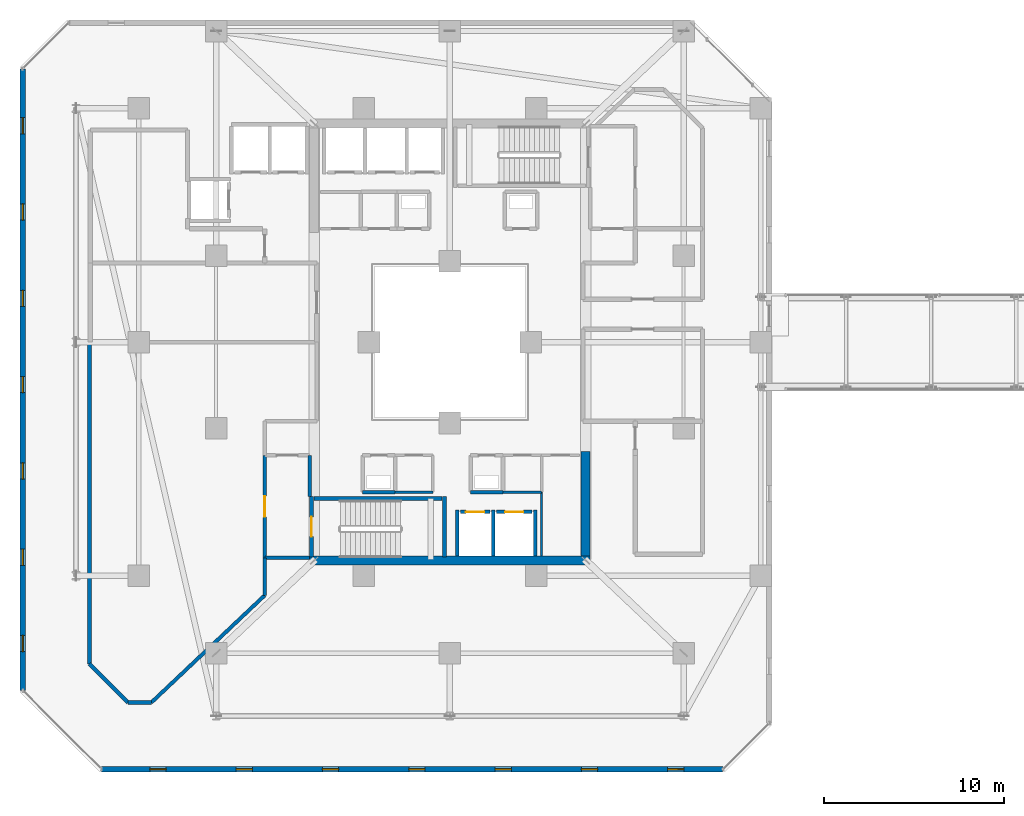
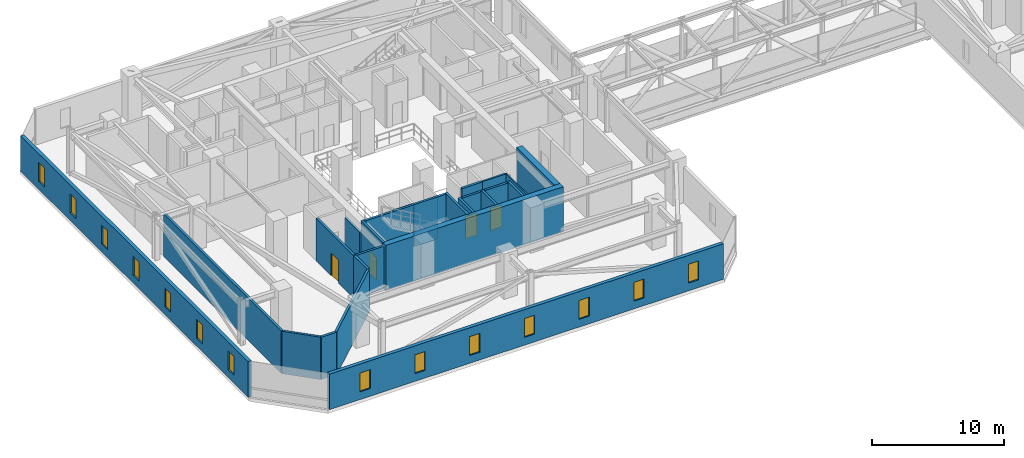
# One storey, part 35 of 45: 25 walls, 14 windows, 4 doors, 18 openings.
"""IFC4 building model written with IfcOpenShell, lengths in metres."""

from ifc_helpers import new_model, si_unit, direction, frame, frame_2d, origin, place, context, subcontext, project, spatial, rectangle, extrude, material, layer, layer_set, type_object, element, fill, save


model = new_model("IFC4")

# Units and contexts
model_context = context("Model", 3, precision=1e-05, world=origin(), true_north=direction((0.0, 1.0)))
body_context = subcontext(model_context, "Body", "Model", "MODEL_VIEW")
ifc_project = project(units=[si_unit("LENGTHUNIT", "METRE"), si_unit("AREAUNIT", "SQUARE_METRE"), si_unit("VOLUMEUNIT", "CUBIC_METRE"), si_unit("PLANEANGLEUNIT", "RADIAN"), si_unit("MASSUNIT", "GRAM", prefix="KILO")], contexts=[model_context])

# Site, building, storey
site_placement = place(None, origin())
site = spatial("IfcSite", under=ifc_project, at=site_placement, CompositionType="ELEMENT")
building_placement = place(site_placement, origin())
building = spatial("IfcBuilding", under=site, at=building_placement, Name="Thornwick Lancets Civic Towers", CompositionType="ELEMENT")
storey_placement = place(building_placement, frame((0.0, 0.0, 141.300048828125)))
storey = spatial("IfcBuildingStorey", under=building, at=storey_placement, Name="L37", CompositionType="ELEMENT", Elevation=141.300048828125)

# Wall, opening, door
ifc_material_1 = material(Name="Concrete blockwork C40/50", Category="masonry")
ifc_layer_1 = layer(ifc_material_1, 0.199951171875, Name="Concrete blockwork C40/50")
ifc_layer_set_1 = layer_set([ifc_layer_1], Name="Concrete blockwork C40/50")
wall_type_1 = type_object("IfcWallType", Name="WALL_COMP_200", PredefinedType="STANDARD", material=ifc_layer_set_1)
wall_1_placement = place(storey_placement, frame((26.080078125, 17.550048828125, 0.0), z_axis=(0.0, 0.0, 1.0), x_axis=(1.0, 0.0, 0.0)))
wall_1 = element("IfcWall", 1, at=wall_1_placement, inside=storey, type_object=wall_type_1, Name="L37 Hoistway Front Wall FL-A1", PredefinedType="STANDARD", context=body_context, shape_type="SweptSolid", body=[
    extrude(rectangle(XDim=1.639892578125, YDim=0.199951171875, at=frame_2d((0.81982421875, 0.0))), origin(), (0.0, 0.0, 1.0), 3.93994140625),
])
opening_1_placement = place(wall_1_placement, frame((0.31005859375, 0.0, 0.0)))
opening_1 = element("IfcOpeningElement", 2, at=opening_1_placement, cuts=wall_1, Name="Opening LD-FL-A1", PredefinedType="OPENING", context=body_context, shape_type="SweptSolid", body=[
    extrude(rectangle(XDim=1.02001953125, YDim=2.06005859375, at=frame_2d((0.510009765625, 1.030029296875))), frame((0.0, 0.10986328125, 0.0), z_axis=(0.0, -1.0, 0.0), x_axis=(1.0, 0.0, 0.0)), (0.0, 0.0, 1.0), 0.219970703125),
])
ifc_material_2 = material(Name="Brushed bronze stainless steel", Category="steel")
door_type_1 = type_object("IfcDoorType", Name="DOOR_LIFT_SLIDE", OperationType="SLIDING_TO_LEFT", PredefinedType="DOOR", material=ifc_material_2)
door_1_placement = place(opening_1_placement, origin())
door_1 = element("IfcDoor", 3, at=door_1_placement, inside=storey, type_object=door_type_1, Name="L37 Sliding Lift Landing Door LD-FL-A1", OperationType="SLIDING_TO_LEFT", OverallHeight=2.06005859375, OverallWidth=1.02001953125, PredefinedType="DOOR", context=body_context, shape_type="SweptSolid", body=[
    extrude(rectangle(XDim=1.02001953125, YDim=2.06005859375, at=frame_2d((0.510009765625, 1.030029296875))), frame((0.0, 0.02490234375, 0.0), z_axis=(0.0, -1.0, 0.0), x_axis=(1.0, 0.0, 0.0)), (0.0, 0.0, 1.0), 0.050048828125),
])
fill(opening_1, door_1)

wall_2_placement = place(storey_placement, frame((28.080078125, 17.550048828125, 0.0), z_axis=(0.0, 0.0, 1.0), x_axis=(1.0, 0.0, 0.0)))
wall_2 = element("IfcWall", 4, at=wall_2_placement, inside=storey, type_object=wall_type_1, Name="L37 Hoistway Front Wall PL-AH1", PredefinedType="STANDARD", context=body_context, shape_type="SweptSolid", body=[
    extrude(rectangle(XDim=1.989990234375, YDim=0.199951171875, at=frame_2d((0.9951171875, 0.0))), origin(), (0.0, 0.0, 1.0), 3.93994140625),
])
opening_2_placement = place(wall_2_placement, frame((0.485107421875, 0.0, 0.0)))
opening_2 = element("IfcOpeningElement", 5, at=opening_2_placement, cuts=wall_2, Name="Opening LD-PL-AH1", PredefinedType="OPENING", context=body_context, shape_type="SweptSolid", body=[
    extrude(rectangle(XDim=1.02001953125, YDim=2.06005859375, at=frame_2d((0.510009765625, 1.030029296875))), frame((0.0, 0.10986328125, 0.0), z_axis=(0.0, -1.0, 0.0), x_axis=(1.0, 0.0, 0.0)), (0.0, 0.0, 1.0), 0.219970703125),
])
door_2_placement = place(opening_2_placement, origin())
door_2 = element("IfcDoor", 6, at=door_2_placement, inside=storey, type_object=door_type_1, Name="L37 Sliding Lift Landing Door LD-PL-AH1", OperationType="SLIDING_TO_LEFT", OverallHeight=2.06005859375, OverallWidth=1.02001953125, PredefinedType="DOOR", context=body_context, shape_type="SweptSolid", body=[
    extrude(rectangle(XDim=1.02001953125, YDim=2.06005859375, at=frame_2d((0.510009765625, 1.030029296875))), frame((0.0, 0.02490234375, 0.0), z_axis=(0.0, -1.0, 0.0), x_axis=(1.0, 0.0, 0.0)), (0.0, 0.0, 1.0), 0.050048828125),
])
fill(opening_2, door_2)

# Walls
for number, where, z_axis, x_axis, name in (
    (7, (27.89990234375, 15.112060546875, 0.0), (0.0, 0.0, 1.0), (0.0, 1.0, 0.0), "L37 Hoistway Shaft Wall FL-A1 E"),
    (8, (25.89990234375, 15.112060546875, 0.0), (0.0, 0.0, 1.0), (0.0, 1.0, 0.0), "L37 Hoistway Shaft Wall FL-A1 W"),
    (9, (30.25, 15.112060546875, 0.0), (0.0, 0.0, 1.0), (0.0, 1.0, 0.0), "L37 Hoistway Shaft Wall PL-AH1 E"),
):
    element("IfcWall", number, at=place(storey_placement, frame(where, z_axis=z_axis, x_axis=x_axis)), inside=storey, type_object=wall_type_1, Name=name, PredefinedType="STANDARD", context=body_context, shape_type="SweptSolid", body=[
        extrude(rectangle(XDim=2.535888671875, YDim=0.199951171875, at=frame_2d((1.26806640625, 0.0))), origin(), (0.0, 0.0, 1.0), 3.93994140625),
    ])
wall_3_placement = place(storey_placement, frame((15.199951171875, 15.0, 0.0), z_axis=(0.0, 0.0, 1.0), x_axis=(1.0, 0.0, 0.0)))
element("IfcWall", 10, at=wall_3_placement, inside=storey, type_object=wall_type_1, Name="L37 Partition L37-A-FFLOB1 E1", PredefinedType="STANDARD", context=body_context, shape_type="SweptSolid", body=[
    extrude(rectangle(XDim=2.5, YDim=0.199951171875, at=frame_2d((1.25, 0.0))), origin(), (0.0, 0.0, 1.0), 3.93994140625),
])
wall_4_placement = place(storey_placement, frame((17.699951171875, 18.39990234375, 0.0), z_axis=(0.0, 0.0, 1.0), x_axis=(0.0, 1.0, 0.0)))
element("IfcWall", 11, at=wall_4_placement, inside=storey, type_object=wall_type_1, Name="L37 Partition L37-A-FFLOB1 E2", PredefinedType="STANDARD", context=body_context, shape_type="SweptSolid", body=[
    extrude(rectangle(XDim=2.300048828125, YDim=0.199951171875, at=frame_2d((1.14990234375, 0.0))), origin(), (0.0, 0.0, 1.0), 3.14501953125),
])

# Wall, opening, door
wall_5_placement = place(storey_placement, frame((15.199951171875, 20.699951171875, 0.0), z_axis=(0.0, 0.0, 1.0), x_axis=(0.0, -1.0, 0.0)))
wall_5 = element("IfcWall", 12, at=wall_5_placement, inside=storey, type_object=wall_type_1, Name="L37 Partition L37-A-FFLOB1 E4", PredefinedType="STANDARD", context=body_context, shape_type="SweptSolid", body=[
    extrude(rectangle(XDim=5.699951171875, YDim=0.199951171875, at=frame_2d((2.85009765625, 0.0))), origin(), (0.0, 0.0, 1.0), 3.93994140625),
])
opening_3_placement = place(wall_5_placement, frame((2.27490234375, 0.0, 0.0)))
opening_3 = element("IfcOpeningElement", 13, at=opening_3_placement, cuts=wall_5, Name="Opening D-L37-1691", PredefinedType="OPENING", context=body_context, shape_type="SweptSolid", body=[
    extrude(rectangle(XDim=1.14990234375, YDim=2.10009765625, at=frame_2d((0.574951171875, 1.050048828125))), frame((0.0, 0.10986328125, 0.0), z_axis=(0.0, -1.0, 0.0), x_axis=(1.0, 0.0, 0.0)), (0.0, 0.0, 1.0), 0.219970703125),
])
ifc_material_3 = material(Name="Glazed fire-resisting steel", Category="steel")
door_type_2 = type_object("IfcDoorType", Name="DOOR_LOBBY_FD60", OperationType="NOTDEFINED", PredefinedType="DOOR", material=ifc_material_3)
door_3_placement = place(opening_3_placement, origin())
door_3 = element("IfcDoor", 14, at=door_3_placement, inside=storey, type_object=door_type_2, Name="L37 Tower A Refuge Holding Area 1 Door", OperationType="SINGLE_SWING_RIGHT", OverallHeight=2.10009765625, OverallWidth=1.14990234375, PredefinedType="DOOR", context=body_context, shape_type="SweptSolid", body=[
    extrude(rectangle(XDim=1.14990234375, YDim=2.10009765625, at=frame_2d((0.574951171875, 1.050048828125))), frame((0.0, 0.02490234375, 0.0), z_axis=(0.0, -1.0, 0.0), x_axis=(1.0, 0.0, 0.0)), (0.0, 0.0, 1.0), 0.050048828125),
])
fill(opening_3, door_3)

# Walls
for number, where, z_axis, x_axis, name in (
    (15, (26.64990234375, 18.64990234375, 0.0), (0.0, 0.0, 1.0), (1.0, 0.0, 0.0), "L37 Partition L37-A-DUCT1 E1"),
    (16, (20.64990234375, 18.64990234375, 0.0), (0.0, 0.0, 1.0), (1.0, 0.0, 0.0), "L37 Partition L37-A-RISER1 E1"),
):
    element("IfcWall", number, at=place(storey_placement, frame(where, z_axis=z_axis, x_axis=x_axis)), inside=storey, type_object=wall_type_1, Name=name, PredefinedType="STANDARD", context=body_context, shape_type="SweptSolid", body=[
        extrude(rectangle(XDim=1.800048828125, YDim=0.199951171875, at=frame_2d((0.89990234375, 0.0))), origin(), (0.0, 0.0, 1.0), 3.93994140625),
    ])
wall_6_placement = place(storey_placement, frame((15.199951171875, 15.0, 0.0), z_axis=(0.0, 0.0, 1.0), x_axis=(0.0, -1.0, 0.0)))
element("IfcWall", 17, at=wall_6_placement, inside=storey, type_object=wall_type_1, Name="L37 Partition L37-A-REF1 E4", PredefinedType="STANDARD", context=body_context, shape_type="SweptSolid", body=[
    extrude(rectangle(XDim=2.088134765625, YDim=0.199951171875, at=frame_2d((1.0439453125, 0.0))), origin(), (0.0, 0.0, 1.0), 3.93994140625),
])
wall_7_placement = place(storey_placement, frame((15.199951171875, 12.911865234375, 0.0), z_axis=(0.0, 0.0, 1.0), x_axis=(-0.726821246223, -0.68682667103, 0.0)))
element("IfcWall", 18, at=wall_7_placement, inside=storey, type_object=wall_type_1, Name="L37 Partition L37-A-REF1 E5", PredefinedType="STANDARD", context=body_context, shape_type="SweptSolid", body=[
    extrude(rectangle(XDim=8.680419921875, YDim=0.199951171875, at=frame_2d((4.34033203125, 0.0))), origin(), (0.0, 0.0, 1.0), 3.93994140625),
])
wall_8_placement = place(storey_placement, frame((8.890869140625, 6.949951171875, 0.0), z_axis=(0.0, 0.0, 1.0), x_axis=(-1.0, 0.0, 0.0)))
element("IfcWall", 19, at=wall_8_placement, inside=storey, type_object=wall_type_1, Name="L37 Partition L37-A-REF1 E6", PredefinedType="STANDARD", context=body_context, shape_type="SweptSolid", body=[
    extrude(rectangle(XDim=1.296142578125, YDim=0.199951171875, at=frame_2d((0.64794921875, 0.0))), origin(), (0.0, 0.0, 1.0), 3.93994140625),
])
wall_9_placement = place(storey_placement, frame((7.5947265625, 6.949951171875, 0.0), z_axis=(0.0, 0.0, 1.0), x_axis=(-0.707106781187, 0.707106781187, 0.0)))
element("IfcWall", 20, at=wall_9_placement, inside=storey, type_object=wall_type_1, Name="L37 Partition L37-A-REF1 E7", PredefinedType="STANDARD", context=body_context, shape_type="SweptSolid", body=[
    extrude(rectangle(XDim=3.033203125, YDim=0.199951171875, at=frame_2d((1.5166015625, 0.0))), origin(), (0.0, 0.0, 1.0), 3.93994140625),
])
wall_10_placement = place(storey_placement, frame((5.449951171875, 9.0947265625, 0.0), z_axis=(0.0, 0.0, 1.0), x_axis=(0.0, 1.0, 0.0)))
element("IfcWall", 21, at=wall_10_placement, inside=storey, type_object=wall_type_1, Name="L37 Partition L37-A-REF1 E8", PredefinedType="STANDARD", context=body_context, shape_type="SweptSolid", body=[
    extrude(rectangle(XDim=17.9052734375, YDim=0.199951171875, at=frame_2d((8.95263671875, 0.0))), origin(), (0.0, 0.0, 1.0), 3.93994140625),
])
ifc_material_4 = material(Name="Concrete C50/60", Category="concrete")
ifc_layer_2 = layer(ifc_material_4, 0.5, Name="Concrete C50/60")
ifc_layer_set_2 = layer_set([ifc_layer_2], Name="Concrete C50/60")
wall_type_2 = type_object("IfcWallType", Name="WALL_CORE_500", PredefinedType="SHEAR", material=ifc_layer_set_2)
wall_11_placement = place(storey_placement, frame((17.699951171875, 14.85009765625, 0.0), z_axis=(0.0, 0.0, 1.0), x_axis=(1.0, 0.0, 0.0)))
element("IfcWall", 22, at=wall_11_placement, inside=storey, type_object=wall_type_2, Name="L37 Split Core A1 Shear Wall S", PredefinedType="SHEAR", context=body_context, shape_type="SweptSolid", body=[
    extrude(rectangle(XDim=15.60009765625, YDim=0.5, at=frame_2d((7.800048828125, 0.0))), origin(), (0.0, 0.0, 1.0), 4.199951171875),
])
wall_12_placement = place(storey_placement, frame((33.050048828125, 15.10009765625, 0.0), z_axis=(0.0, 0.0, 1.0), x_axis=(0.0, 1.0, 0.0)))
element("IfcWall", 23, at=wall_12_placement, inside=storey, type_object=wall_type_2, Name="L37 Split Core A1 Shear Wall E", PredefinedType="SHEAR", context=body_context, shape_type="SweptSolid", body=[
    extrude(rectangle(XDim=5.7998046875, YDim=0.5, at=frame_2d((2.89990234375, 0.0))), origin(), (0.0, 0.0, 1.0), 4.199951171875),
])

# Wall, openings, windows
ifc_material_5 = material(Name="Insulated russet terracotta rainscreen on concrete C40/50", Category="masonry")
ifc_layer_3 = layer(ifc_material_5, 0.300048828125, Name="Insulated russet terracotta rainscreen on concrete C40/50")
ifc_layer_set_3 = layer_set([ifc_layer_3], Name="Insulated russet terracotta rainscreen on concrete C40/50")
wall_type_3 = type_object("IfcWallType", Name="WALL_EXT_RUSSET_300", PredefinedType="STANDARD", material=ifc_layer_set_3)
wall_13_placement = place(storey_placement, frame((6.111572265625, 3.2412109375, 0.0), z_axis=(0.0, 0.0, 1.0), x_axis=(0.999999985636, -0.000169493917, 0.0)))
wall_13 = element("IfcWall", 24, at=wall_13_placement, inside=storey, type_object=wall_type_3, Name="L37 Tower A Terracotta Facade Wall E0", PredefinedType="STANDARD", context=body_context, shape_type="SweptSolid", body=[
    extrude(rectangle(XDim=34.56982421875, YDim=0.300048828125, at=frame_2d((17.284912109375, 0.0))), origin(), (0.0, 0.0, 1.0), 3.300048828125),
])
opening_4_placement = place(wall_13_placement, frame((2.699951171875, 0.0, 0.719970703125)))
opening_4 = element("IfcOpeningElement", 25, at=opening_4_placement, cuts=wall_13, Name="Opening WL-01", PredefinedType="OPENING", context=body_context, shape_type="SweptSolid", body=[
    extrude(rectangle(XDim=0.89990234375, YDim=1.75, at=frame_2d((0.449951171875, 0.875))), frame((0.0, 0.16015625, 0.0), z_axis=(0.0, -1.0, 0.0), x_axis=(1.0, 0.0, 0.0)), (0.0, 0.0, 1.0), 0.320068359375),
])
opening_5_placement = place(wall_13_placement, frame((7.5, 0.0, 0.719970703125)))
opening_5 = element("IfcOpeningElement", 26, at=opening_5_placement, cuts=wall_13, Name="Opening WL-01", PredefinedType="OPENING", context=body_context, shape_type="SweptSolid", body=[
    extrude(rectangle(XDim=0.89990234375, YDim=1.75, at=frame_2d((0.449951171875, 0.875))), frame((0.0, 0.16015625, 0.0), z_axis=(0.0, -1.0, 0.0), x_axis=(1.0, 0.0, 0.0)), (0.0, 0.0, 1.0), 0.320068359375),
])
opening_6_placement = place(wall_13_placement, frame((12.300048828125, 0.0, 0.719970703125)))
opening_6 = element("IfcOpeningElement", 27, at=opening_6_placement, cuts=wall_13, Name="Opening WL-01", PredefinedType="OPENING", context=body_context, shape_type="SweptSolid", body=[
    extrude(rectangle(XDim=0.89990234375, YDim=1.75, at=frame_2d((0.449951171875, 0.875))), frame((0.0, 0.16015625, 0.0), z_axis=(0.0, -1.0, 0.0), x_axis=(1.0, 0.0, 0.0)), (0.0, 0.0, 1.0), 0.320068359375),
])
opening_7_placement = place(wall_13_placement, frame((17.10009765625, 0.0, 0.719970703125)))
opening_7 = element("IfcOpeningElement", 28, at=opening_7_placement, cuts=wall_13, Name="Opening WL-01", PredefinedType="OPENING", context=body_context, shape_type="SweptSolid", body=[
    extrude(rectangle(XDim=0.89990234375, YDim=1.75, at=frame_2d((0.449951171875, 0.875))), frame((0.0, 0.16015625, 0.0), z_axis=(0.0, -1.0, 0.0), x_axis=(1.0, 0.0, 0.0)), (0.0, 0.0, 1.0), 0.320068359375),
])
opening_8_placement = place(wall_13_placement, frame((21.89990234375, 0.0, 0.719970703125)))
opening_8 = element("IfcOpeningElement", 29, at=opening_8_placement, cuts=wall_13, Name="Opening WL-01", PredefinedType="OPENING", context=body_context, shape_type="SweptSolid", body=[
    extrude(rectangle(XDim=0.89990234375, YDim=1.75, at=frame_2d((0.449951171875, 0.875))), frame((0.0, 0.16015625, 0.0), z_axis=(0.0, -1.0, 0.0), x_axis=(1.0, 0.0, 0.0)), (0.0, 0.0, 1.0), 0.320068359375),
])
opening_9_placement = place(wall_13_placement, frame((26.699951171875, 0.0, 0.719970703125)))
opening_9 = element("IfcOpeningElement", 30, at=opening_9_placement, cuts=wall_13, Name="Opening WL-01", PredefinedType="OPENING", context=body_context, shape_type="SweptSolid", body=[
    extrude(rectangle(XDim=0.89990234375, YDim=1.75, at=frame_2d((0.449951171875, 0.875))), frame((0.0, 0.16015625, 0.0), z_axis=(0.0, -1.0, 0.0), x_axis=(1.0, 0.0, 0.0)), (0.0, 0.0, 1.0), 0.320068359375),
])
opening_10_placement = place(wall_13_placement, frame((31.5, 0.0, 0.719970703125)))
opening_10 = element("IfcOpeningElement", 31, at=opening_10_placement, cuts=wall_13, Name="Opening WL-01", PredefinedType="OPENING", context=body_context, shape_type="SweptSolid", body=[
    extrude(rectangle(XDim=0.89990234375, YDim=1.75, at=frame_2d((0.449951171875, 0.875))), frame((0.0, 0.16015625, 0.0), z_axis=(0.0, -1.0, 0.0), x_axis=(1.0, 0.0, 0.0)), (0.0, 0.0, 1.0), 0.320068359375),
])
ifc_material_6 = material(Name="Clear low-e double glazing in bronze frame", Category="glass")
window_type = type_object("IfcWindowType", Name="WIN_LANCET_900", PartitioningType="SINGLE_PANEL", PredefinedType="WINDOW", material=ifc_material_6)
window_1_placement = place(opening_4_placement, origin())
window_1 = element("IfcWindow", 32, at=window_1_placement, inside=storey, type_object=window_type, Name="L37 Tower A Staggered Lancet Window E0-1", OverallHeight=1.75, OverallWidth=0.89990234375, PartitioningType="SINGLE_PANEL", PredefinedType="WINDOW", context=body_context, shape_type="SweptSolid", body=[
    extrude(rectangle(XDim=0.89990234375, YDim=1.75, at=frame_2d((0.449951171875, 0.875))), frame((0.0, 0.030029296875, 0.0), z_axis=(0.0, -1.0, 0.0), x_axis=(1.0, 0.0, 0.0)), (0.0, 0.0, 1.0), 0.06005859375),
])
fill(opening_4, window_1)
window_2_placement = place(opening_5_placement, origin())
window_2 = element("IfcWindow", 33, at=window_2_placement, inside=storey, type_object=window_type, Name="L37 Tower A Staggered Lancet Window E0-2", OverallHeight=1.75, OverallWidth=0.89990234375, PartitioningType="SINGLE_PANEL", PredefinedType="WINDOW", context=body_context, shape_type="SweptSolid", body=[
    extrude(rectangle(XDim=0.89990234375, YDim=1.75, at=frame_2d((0.449951171875, 0.875))), frame((0.0, 0.030029296875, 0.0), z_axis=(0.0, -1.0, 0.0), x_axis=(1.0, 0.0, 0.0)), (0.0, 0.0, 1.0), 0.06005859375),
])
fill(opening_5, window_2)
window_3_placement = place(opening_6_placement, origin())
window_3 = element("IfcWindow", 34, at=window_3_placement, inside=storey, type_object=window_type, Name="L37 Tower A Staggered Lancet Window E0-3", OverallHeight=1.75, OverallWidth=0.89990234375, PartitioningType="SINGLE_PANEL", PredefinedType="WINDOW", context=body_context, shape_type="SweptSolid", body=[
    extrude(rectangle(XDim=0.89990234375, YDim=1.75, at=frame_2d((0.449951171875, 0.875))), frame((0.0, 0.030029296875, 0.0), z_axis=(0.0, -1.0, 0.0), x_axis=(1.0, 0.0, 0.0)), (0.0, 0.0, 1.0), 0.06005859375),
])
fill(opening_6, window_3)
window_4_placement = place(opening_7_placement, origin())
window_4 = element("IfcWindow", 35, at=window_4_placement, inside=storey, type_object=window_type, Name="L37 Tower A Staggered Lancet Window E0-4", OverallHeight=1.75, OverallWidth=0.89990234375, PartitioningType="SINGLE_PANEL", PredefinedType="WINDOW", context=body_context, shape_type="SweptSolid", body=[
    extrude(rectangle(XDim=0.89990234375, YDim=1.75, at=frame_2d((0.449951171875, 0.875))), frame((0.0, 0.030029296875, 0.0), z_axis=(0.0, -1.0, 0.0), x_axis=(1.0, 0.0, 0.0)), (0.0, 0.0, 1.0), 0.06005859375),
])
fill(opening_7, window_4)
window_5_placement = place(opening_8_placement, origin())
window_5 = element("IfcWindow", 36, at=window_5_placement, inside=storey, type_object=window_type, Name="L37 Tower A Staggered Lancet Window E0-5", OverallHeight=1.75, OverallWidth=0.89990234375, PartitioningType="SINGLE_PANEL", PredefinedType="WINDOW", context=body_context, shape_type="SweptSolid", body=[
    extrude(rectangle(XDim=0.89990234375, YDim=1.75, at=frame_2d((0.449951171875, 0.875))), frame((0.0, 0.030029296875, 0.0), z_axis=(0.0, -1.0, 0.0), x_axis=(1.0, 0.0, 0.0)), (0.0, 0.0, 1.0), 0.06005859375),
])
fill(opening_8, window_5)
window_6_placement = place(opening_9_placement, origin())
window_6 = element("IfcWindow", 37, at=window_6_placement, inside=storey, type_object=window_type, Name="L37 Tower A Staggered Lancet Window E0-6", OverallHeight=1.75, OverallWidth=0.89990234375, PartitioningType="SINGLE_PANEL", PredefinedType="WINDOW", context=body_context, shape_type="SweptSolid", body=[
    extrude(rectangle(XDim=0.89990234375, YDim=1.75, at=frame_2d((0.449951171875, 0.875))), frame((0.0, 0.030029296875, 0.0), z_axis=(0.0, -1.0, 0.0), x_axis=(1.0, 0.0, 0.0)), (0.0, 0.0, 1.0), 0.06005859375),
])
fill(opening_9, window_6)
window_7_placement = place(opening_10_placement, origin())
window_7 = element("IfcWindow", 38, at=window_7_placement, inside=storey, type_object=window_type, Name="L37 Tower A Staggered Lancet Window E0-7", OverallHeight=1.75, OverallWidth=0.89990234375, PartitioningType="SINGLE_PANEL", PredefinedType="WINDOW", context=body_context, shape_type="SweptSolid", body=[
    extrude(rectangle(XDim=0.89990234375, YDim=1.75, at=frame_2d((0.449951171875, 0.875))), frame((0.0, 0.030029296875, 0.0), z_axis=(0.0, -1.0, 0.0), x_axis=(1.0, 0.0, 0.0)), (0.0, 0.0, 1.0), 0.06005859375),
])
fill(opening_10, window_7)

wall_14_placement = place(storey_placement, frame((1.7353515625, 42.181396484375, 0.0), z_axis=(0.0, 0.0, 1.0), x_axis=(0.000169493917, -0.999999985636, 0.0)))
wall_14 = element("IfcWall", 39, at=wall_14_placement, inside=storey, type_object=wall_type_3, Name="L37 Tower A Terracotta Facade Wall E6", PredefinedType="STANDARD", context=body_context, shape_type="SweptSolid", body=[
    extrude(rectangle(XDim=34.56982421875, YDim=0.300048828125, at=frame_2d((17.284912109375, 0.0))), origin(), (0.0, 0.0, 1.0), 3.300048828125),
])
opening_11_placement = place(wall_14_placement, frame((2.699951171875, 0.0, 0.719970703125)))
opening_11 = element("IfcOpeningElement", 40, at=opening_11_placement, cuts=wall_14, Name="Opening WL-01", PredefinedType="OPENING", context=body_context, shape_type="SweptSolid", body=[
    extrude(rectangle(XDim=0.89990234375, YDim=1.75, at=frame_2d((0.449951171875, 0.875))), frame((0.0, 0.16015625, 0.0), z_axis=(0.0, -1.0, 0.0), x_axis=(1.0, 0.0, 0.0)), (0.0, 0.0, 1.0), 0.320068359375),
])
opening_12_placement = place(wall_14_placement, frame((7.5, 0.0, 0.719970703125)))
opening_12 = element("IfcOpeningElement", 41, at=opening_12_placement, cuts=wall_14, Name="Opening WL-01", PredefinedType="OPENING", context=body_context, shape_type="SweptSolid", body=[
    extrude(rectangle(XDim=0.89990234375, YDim=1.75, at=frame_2d((0.449951171875, 0.875))), frame((0.0, 0.16015625, 0.0), z_axis=(0.0, -1.0, 0.0), x_axis=(1.0, 0.0, 0.0)), (0.0, 0.0, 1.0), 0.320068359375),
])
opening_13_placement = place(wall_14_placement, frame((12.300048828125, 0.0, 0.719970703125)))
opening_13 = element("IfcOpeningElement", 42, at=opening_13_placement, cuts=wall_14, Name="Opening WL-01", PredefinedType="OPENING", context=body_context, shape_type="SweptSolid", body=[
    extrude(rectangle(XDim=0.89990234375, YDim=1.75, at=frame_2d((0.449951171875, 0.875))), frame((0.0, 0.16015625, 0.0), z_axis=(0.0, -1.0, 0.0), x_axis=(1.0, 0.0, 0.0)), (0.0, 0.0, 1.0), 0.320068359375),
])
opening_14_placement = place(wall_14_placement, frame((17.10009765625, 0.0, 0.719970703125)))
opening_14 = element("IfcOpeningElement", 43, at=opening_14_placement, cuts=wall_14, Name="Opening WL-01", PredefinedType="OPENING", context=body_context, shape_type="SweptSolid", body=[
    extrude(rectangle(XDim=0.89990234375, YDim=1.75, at=frame_2d((0.449951171875, 0.875))), frame((0.0, 0.16015625, 0.0), z_axis=(0.0, -1.0, 0.0), x_axis=(1.0, 0.0, 0.0)), (0.0, 0.0, 1.0), 0.320068359375),
])
opening_15_placement = place(wall_14_placement, frame((21.89990234375, 0.0, 0.719970703125)))
opening_15 = element("IfcOpeningElement", 44, at=opening_15_placement, cuts=wall_14, Name="Opening WL-01", PredefinedType="OPENING", context=body_context, shape_type="SweptSolid", body=[
    extrude(rectangle(XDim=0.89990234375, YDim=1.75, at=frame_2d((0.449951171875, 0.875))), frame((0.0, 0.16015625, 0.0), z_axis=(0.0, -1.0, 0.0), x_axis=(1.0, 0.0, 0.0)), (0.0, 0.0, 1.0), 0.320068359375),
])
opening_16_placement = place(wall_14_placement, frame((26.699951171875, 0.0, 0.719970703125)))
opening_16 = element("IfcOpeningElement", 45, at=opening_16_placement, cuts=wall_14, Name="Opening WL-01", PredefinedType="OPENING", context=body_context, shape_type="SweptSolid", body=[
    extrude(rectangle(XDim=0.89990234375, YDim=1.75, at=frame_2d((0.449951171875, 0.875))), frame((0.0, 0.16015625, 0.0), z_axis=(0.0, -1.0, 0.0), x_axis=(1.0, 0.0, 0.0)), (0.0, 0.0, 1.0), 0.320068359375),
])
opening_17_placement = place(wall_14_placement, frame((31.5, 0.0, 0.719970703125)))
opening_17 = element("IfcOpeningElement", 46, at=opening_17_placement, cuts=wall_14, Name="Opening WL-01", PredefinedType="OPENING", context=body_context, shape_type="SweptSolid", body=[
    extrude(rectangle(XDim=0.89990234375, YDim=1.75, at=frame_2d((0.449951171875, 0.875))), frame((0.0, 0.16015625, 0.0), z_axis=(0.0, -1.0, 0.0), x_axis=(1.0, 0.0, 0.0)), (0.0, 0.0, 1.0), 0.320068359375),
])
window_8_placement = place(opening_11_placement, origin())
window_8 = element("IfcWindow", 47, at=window_8_placement, inside=storey, type_object=window_type, Name="L37 Tower A Staggered Lancet Window E6-1", OverallHeight=1.75, OverallWidth=0.89990234375, PartitioningType="SINGLE_PANEL", PredefinedType="WINDOW", context=body_context, shape_type="SweptSolid", body=[
    extrude(rectangle(XDim=0.89990234375, YDim=1.75, at=frame_2d((0.449951171875, 0.875))), frame((0.0, 0.030029296875, 0.0), z_axis=(0.0, -1.0, 0.0), x_axis=(1.0, 0.0, 0.0)), (0.0, 0.0, 1.0), 0.06005859375),
])
fill(opening_11, window_8)
window_9_placement = place(opening_12_placement, origin())
window_9 = element("IfcWindow", 48, at=window_9_placement, inside=storey, type_object=window_type, Name="L37 Tower A Staggered Lancet Window E6-2", OverallHeight=1.75, OverallWidth=0.89990234375, PartitioningType="SINGLE_PANEL", PredefinedType="WINDOW", context=body_context, shape_type="SweptSolid", body=[
    extrude(rectangle(XDim=0.89990234375, YDim=1.75, at=frame_2d((0.449951171875, 0.875))), frame((0.0, 0.030029296875, 0.0), z_axis=(0.0, -1.0, 0.0), x_axis=(1.0, 0.0, 0.0)), (0.0, 0.0, 1.0), 0.06005859375),
])
fill(opening_12, window_9)
window_10_placement = place(opening_13_placement, origin())
window_10 = element("IfcWindow", 49, at=window_10_placement, inside=storey, type_object=window_type, Name="L37 Tower A Staggered Lancet Window E6-3", OverallHeight=1.75, OverallWidth=0.89990234375, PartitioningType="SINGLE_PANEL", PredefinedType="WINDOW", context=body_context, shape_type="SweptSolid", body=[
    extrude(rectangle(XDim=0.89990234375, YDim=1.75, at=frame_2d((0.449951171875, 0.875))), frame((0.0, 0.030029296875, 0.0), z_axis=(0.0, -1.0, 0.0), x_axis=(1.0, 0.0, 0.0)), (0.0, 0.0, 1.0), 0.06005859375),
])
fill(opening_13, window_10)
window_11_placement = place(opening_14_placement, origin())
window_11 = element("IfcWindow", 50, at=window_11_placement, inside=storey, type_object=window_type, Name="L37 Tower A Staggered Lancet Window E6-4", OverallHeight=1.75, OverallWidth=0.89990234375, PartitioningType="SINGLE_PANEL", PredefinedType="WINDOW", context=body_context, shape_type="SweptSolid", body=[
    extrude(rectangle(XDim=0.89990234375, YDim=1.75, at=frame_2d((0.449951171875, 0.875))), frame((0.0, 0.030029296875, 0.0), z_axis=(0.0, -1.0, 0.0), x_axis=(1.0, 0.0, 0.0)), (0.0, 0.0, 1.0), 0.06005859375),
])
fill(opening_14, window_11)
window_12_placement = place(opening_15_placement, origin())
window_12 = element("IfcWindow", 51, at=window_12_placement, inside=storey, type_object=window_type, Name="L37 Tower A Staggered Lancet Window E6-5", OverallHeight=1.75, OverallWidth=0.89990234375, PartitioningType="SINGLE_PANEL", PredefinedType="WINDOW", context=body_context, shape_type="SweptSolid", body=[
    extrude(rectangle(XDim=0.89990234375, YDim=1.75, at=frame_2d((0.449951171875, 0.875))), frame((0.0, 0.030029296875, 0.0), z_axis=(0.0, -1.0, 0.0), x_axis=(1.0, 0.0, 0.0)), (0.0, 0.0, 1.0), 0.06005859375),
])
fill(opening_15, window_12)
window_13_placement = place(opening_16_placement, origin())
window_13 = element("IfcWindow", 52, at=window_13_placement, inside=storey, type_object=window_type, Name="L37 Tower A Staggered Lancet Window E6-6", OverallHeight=1.75, OverallWidth=0.89990234375, PartitioningType="SINGLE_PANEL", PredefinedType="WINDOW", context=body_context, shape_type="SweptSolid", body=[
    extrude(rectangle(XDim=0.89990234375, YDim=1.75, at=frame_2d((0.449951171875, 0.875))), frame((0.0, 0.030029296875, 0.0), z_axis=(0.0, -1.0, 0.0), x_axis=(1.0, 0.0, 0.0)), (0.0, 0.0, 1.0), 0.06005859375),
])
fill(opening_16, window_13)
window_14_placement = place(opening_17_placement, origin())
window_14 = element("IfcWindow", 53, at=window_14_placement, inside=storey, type_object=window_type, Name="L37 Tower A Staggered Lancet Window E6-7", OverallHeight=1.75, OverallWidth=0.89990234375, PartitioningType="SINGLE_PANEL", PredefinedType="WINDOW", context=body_context, shape_type="SweptSolid", body=[
    extrude(rectangle(XDim=0.89990234375, YDim=1.75, at=frame_2d((0.449951171875, 0.875))), frame((0.0, 0.030029296875, 0.0), z_axis=(0.0, -1.0, 0.0), x_axis=(1.0, 0.0, 0.0)), (0.0, 0.0, 1.0), 0.06005859375),
])
fill(opening_17, window_14)

# Walls
ifc_material_7 = material(Name="Acoustic gypsum board partition")
ifc_layer_4 = layer(ifc_material_7, 0.1201171875, Name="Acoustic gypsum board partition")
ifc_layer_set_4 = layer_set([ifc_layer_4], Name="Acoustic gypsum board partition")
wall_type_4 = type_object("IfcWallType", Name="WALL_PART_120", PredefinedType="PARTITIONING", material=ifc_layer_set_4)
wall_15_placement = place(storey_placement, frame((30.60009765625, 15.10009765625, 0.0), z_axis=(0.0, 0.0, 1.0), x_axis=(0.0, 1.0, 0.0)))
element("IfcWall", 54, at=wall_15_placement, inside=storey, type_object=wall_type_4, Name="L37 Partition L37-A-ITR E3", PredefinedType="PARTITIONING", context=body_context, shape_type="SweptSolid", body=[
    extrude(rectangle(XDim=3.5498046875, YDim=0.1201171875, at=frame_2d((1.77490234375, 0.0))), origin(), (0.0, 0.0, 1.0), 3.93994140625),
])
ifc_material_8 = material(Name="Twin-stud acoustic gypsum board")
ifc_layer_5 = layer(ifc_material_8, 0.14990234375, Name="Twin-stud acoustic gypsum board")
ifc_layer_set_5 = layer_set([ifc_layer_5], Name="Twin-stud acoustic gypsum board")
wall_type_5 = type_object("IfcWallType", Name="WALL_PART_150", PredefinedType="PARTITIONING", material=ifc_layer_set_5)
wall_16_placement = place(storey_placement, frame((24.550048828125, 18.64990234375, 0.0), z_axis=(0.0, 0.0, 1.0), x_axis=(-1.0, 0.0, 0.0)))
element("IfcWall", 55, at=wall_16_placement, inside=storey, type_object=wall_type_5, Name="L37 Partition L37-A-MWC E2", PredefinedType="PARTITIONING", context=body_context, shape_type="SweptSolid", body=[
    extrude(rectangle(XDim=2.10009765625, YDim=0.14990234375, at=frame_2d((1.050048828125, 0.0))), origin(), (0.0, 0.0, 1.0), 3.93994140625),
])
wall_17_placement = place(storey_placement, frame((30.60009765625, 18.64990234375, 0.0), z_axis=(0.0, 0.0, 1.0), x_axis=(-1.0, 0.0, 0.0)))
element("IfcWall", 56, at=wall_17_placement, inside=storey, type_object=wall_type_5, Name="L37 Partition L37-A-FWC E2", PredefinedType="PARTITIONING", context=body_context, shape_type="SweptSolid", body=[
    extrude(rectangle(XDim=2.150146484375, YDim=0.14990234375, at=frame_2d((1.0751953125, 0.0))), origin(), (0.0, 0.0, 1.0), 3.93994140625),
])

# Wall, opening, door
ifc_material_9 = material(Name="Concrete C40/50", Category="concrete")
ifc_layer_6 = layer(ifc_material_9, 0.199951171875, Name="Concrete C40/50")
ifc_layer_set_6 = layer_set([ifc_layer_6], Name="Concrete C40/50")
wall_type_6 = type_object("IfcWallType", Name="WALL_SHAFT_200", PredefinedType="SHEAR", material=ifc_layer_set_6)
wall_18_placement = place(storey_placement, frame((17.800048828125, 15.050048828125, 0.0), z_axis=(0.0, 0.0, 1.0), x_axis=(0.0, 1.0, 0.0)))
wall_18 = element("IfcWall", 57, at=wall_18_placement, inside=storey, type_object=wall_type_6, Name="L37 ST-A1 Fire Stair Core Wall NEAR", PredefinedType="SHEAR", context=body_context, shape_type="SweptSolid", body=[
    extrude(rectangle(XDim=3.349853515625, YDim=0.199951171875, at=frame_2d((1.6748046875, 0.0))), origin(), (0.0, 0.0, 1.0), 4.199951171875),
])
opening_18_placement = place(wall_18_placement, frame((1.125, 0.0, 0.0)))
opening_18 = element("IfcOpeningElement", 58, at=opening_18_placement, cuts=wall_18, Name="Opening D-ST-A1-L37", PredefinedType="OPENING", context=body_context, shape_type="SweptSolid", body=[
    extrude(rectangle(XDim=1.10009765625, YDim=2.10009765625, at=frame_2d((0.550048828125, 1.050048828125))), frame((0.0, 0.10986328125, 0.0), z_axis=(0.0, -1.0, 0.0), x_axis=(1.0, 0.0, 0.0)), (0.0, 0.0, 1.0), 0.219970703125),
])
ifc_material_10 = material(Name="Fire-resisting steel and hardwood", Category="steel")
door_type_3 = type_object("IfcDoorType", Name="DOOR_STAIR_FD60", OperationType="NOTDEFINED", PredefinedType="DOOR", material=ifc_material_10)
door_4_placement = place(opening_18_placement, origin())
door_4 = element("IfcDoor", 59, at=door_4_placement, inside=storey, type_object=door_type_3, Name="L37 ST-A1 Exit Stair Door", OperationType="SINGLE_SWING_RIGHT", OverallHeight=2.10009765625, OverallWidth=1.10009765625, PredefinedType="DOOR", context=body_context, shape_type="SweptSolid", body=[
    extrude(rectangle(XDim=1.10009765625, YDim=2.10009765625, at=frame_2d((0.550048828125, 1.050048828125))), frame((0.0, 0.02490234375, 0.0), z_axis=(0.0, -1.0, 0.0), x_axis=(1.0, 0.0, 0.0)), (0.0, 0.0, 1.0), 0.050048828125),
])
fill(opening_18, door_4)

# Walls
wall_19_placement = place(storey_placement, frame((25.199951171875, 18.39990234375, 0.0), z_axis=(0.0, 0.0, 1.0), x_axis=(0.0, -1.0, 0.0)))
element("IfcWall", 60, at=wall_19_placement, inside=storey, type_object=wall_type_6, Name="L37 ST-A1 Fire Stair Core Wall FAR", PredefinedType="SHEAR", context=body_context, shape_type="SweptSolid", body=[
    extrude(rectangle(XDim=3.349853515625, YDim=0.199951171875, at=frame_2d((1.6748046875, 0.0))), origin(), (0.0, 0.0, 1.0), 4.199951171875),
])
wall_20_placement = place(storey_placement, frame((25.050048828125, 18.297119140625, 0.0), z_axis=(0.0, 0.0, 1.0), x_axis=(-1.0, 0.0, 0.0)))
element("IfcWall", 61, at=wall_20_placement, inside=storey, type_object=wall_type_6, Name="L37 ST-A1 Fire Stair Core Wall RIGHT", PredefinedType="SHEAR", context=body_context, shape_type="SweptSolid", body=[
    extrude(rectangle(XDim=7.10009765625, YDim=0.199951171875, at=frame_2d((3.550048828125, 0.0))), origin(), (0.0, 0.0, 1.0), 4.199951171875),
])

save(model, "model.ifc")
